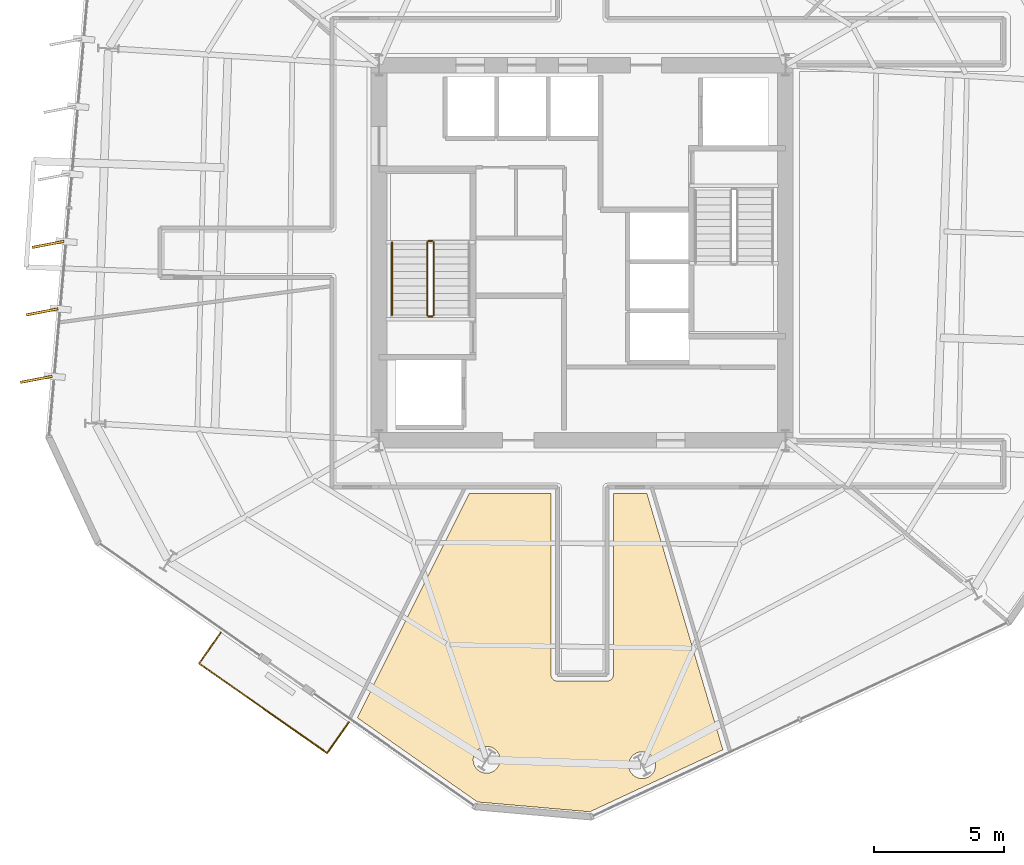
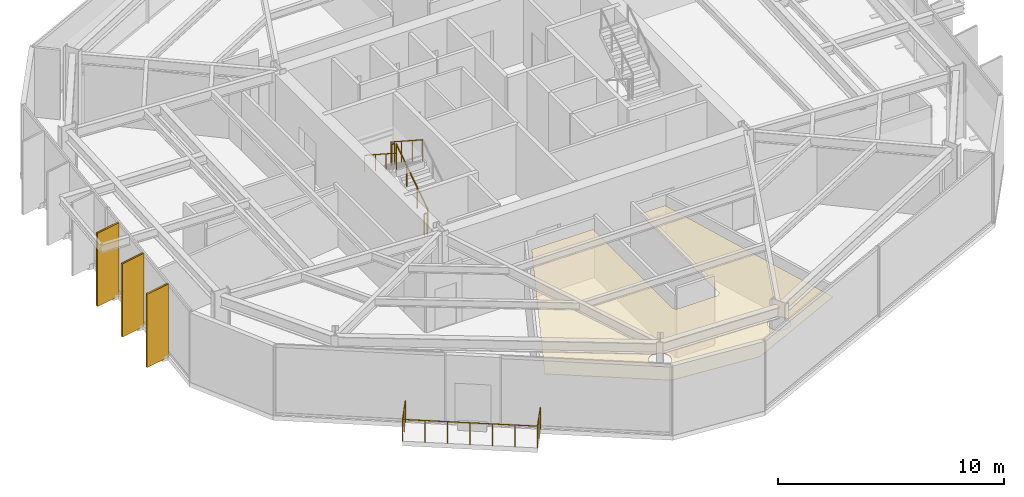
# One storey, part 9 of 12: 6 railings, 4 coverings, 3 shading devices.
"""IFC4 building model written with IfcOpenShell, lengths in metres."""

from ifc_helpers import new_model, si_unit, direction, frame, origin, origin_2d, place, context, subcontext, project, spatial, polyline, rectangle, circle, outline, extrude, material, layer, layer_set, type_object, element, save


model = new_model("IFC4")

# Units and contexts
model_context = context("Model", 3, precision=1e-05, world=origin(), true_north=direction((0.0, 1.0)))
body_context = subcontext(model_context, "Body", "Model", "MODEL_VIEW")
ifc_project = project(units=[si_unit("LENGTHUNIT", "METRE"), si_unit("AREAUNIT", "SQUARE_METRE"), si_unit("VOLUMEUNIT", "CUBIC_METRE"), si_unit("PLANEANGLEUNIT", "RADIAN"), si_unit("MASSUNIT", "GRAM", prefix="KILO")], contexts=[model_context])

# Site, building, storey
site_placement = place(None, origin())
site = spatial("IfcSite", under=ifc_project, at=site_placement, CompositionType="ELEMENT")
building_placement = place(site_placement, origin())
building = spatial("IfcBuilding", under=site, at=building_placement, Name="Kranzbogen Civic Tower", CompositionType="ELEMENT")
storey_placement = place(building_placement, frame((0.0, 0.0, 122.39990234375)))
storey = spatial("IfcBuildingStorey", under=building, at=storey_placement, Name="L29", CompositionType="ELEMENT", Elevation=122.39990234375)

# Coverings
ifc_material_1 = material(Name="Pale Anodised Aluminium", Category="aluminium")
ifc_layer_1 = layer(ifc_material_1, 0.02490234375, Name="Pale Anodised Aluminium")
ifc_layer_set_1 = layer_set([ifc_layer_1], Name="Pale Anodised Aluminium")
covering_type_1 = type_object("IfcCoveringType", Name="Anodised Aluminium Vertical Fin Cladding 25 mm", PredefinedType="CLADDING", material=ifc_layer_set_1)
for number, where, z_axis, x_axis, name in (
    (1, (4.4990234375, 25.318115234375, -0.139892578125), (0.0, 0.0, 1.0), (-0.982349334715, -0.187055565501, 0.0), "L29 vertical fin pale-metal cladding F3-4"),
    (2, (4.27197265625, 22.72802734375, -0.139892578125), (0.0, 0.0, 1.0), (-0.982349334715, -0.187055565501, 0.0), "L29 vertical fin pale-metal cladding F3-5"),
    (3, (4.044921875, 20.137939453125, -0.139892578125), (0.0, 0.0, 1.0), (-0.982349334715, -0.187055565501, 0.0), "L29 vertical fin pale-metal cladding F3-6"),
):
    element("IfcCovering", number, at=place(storey_placement, frame(where, z_axis=z_axis, x_axis=x_axis)), inside=storey, type_object=covering_type_1, Name=name, PredefinedType="CLADDING", context=body_context, shape_type="SweptSolid", body=[
        extrude(rectangle(XDim=1.25, YDim=0.10009765625, at=origin_2d()), origin(), (0.0, 0.0, 1.0), 3.9599609375),
    ])

# Shading devices
ifc_material_2 = material(Name="Anodised Bronze Aluminium", Category="aluminium")
shading_device_type = type_object("IfcShadingDeviceType", Name="Anodised Bronze Vertical Facade Fin 1250x80", PredefinedType="USERDEFINED", material=ifc_material_2)
for number, where, z_axis, x_axis, name in (
    (4, (4.4990234375, 25.318115234375, -0.139892578125), (0.0, 0.0, 1.0), (-0.982349334715, -0.187055565501, 0.0), "L29 vertical exterior shading fin F3-4"),
    (5, (4.27197265625, 22.72802734375, -0.139892578125), (0.0, 0.0, 1.0), (-0.982349334715, -0.187055565501, 0.0), "L29 vertical exterior shading fin F3-5"),
    (6, (4.044921875, 20.137939453125, -0.139892578125), (0.0, 0.0, 1.0), (-0.982349334715, -0.187055565501, 0.0), "L29 vertical exterior shading fin F3-6"),
):
    element("IfcShadingDevice", number, at=place(storey_placement, frame(where, z_axis=z_axis, x_axis=x_axis)), inside=storey, type_object=shading_device_type, Name=name, ObjectType="FIN", PredefinedType="USERDEFINED", context=body_context, shape_type="SweptSolid", body=[
        extrude(rectangle(XDim=1.25, YDim=0.080078125, at=origin_2d()), origin(), (0.0, 0.0, 1.0), 3.9599609375),
    ])

# Railings
railing_type_1 = type_object("IfcRailingType", Name="Cantilevered Balcony Glass and Bronze Balustrade 1200", PredefinedType="BALUSTRADE", material=ifc_material_2)
railing_1_placement = place(storey_placement, frame((11.1279296875, 10.419921875, 0.0)))
element("IfcRailing", 7, at=railing_1_placement, inside=storey, type_object=railing_type_1, Name="L29 exterior terrace balustrade L29-TB2", PredefinedType="BALUSTRADE", context=body_context, shape_type="SweptSolid", body=[
    extrude(circle(Radius=0.02392578125, at=origin_2d()), frame((0.0, 0.0, 1.17578125), z_axis=(-0.573665677324, -0.819089549842, 0.0), x_axis=(0.819089549842, -0.573665677324, 0.0)), (0.0, 0.0, 1.0), 1.450439453125),
    extrude(circle(Radius=0.02392578125, at=origin_2d()), frame((-0.83203125, -1.18798828125, 1.17578125), z_axis=(0.819124862085, -0.573615254604, 0.0), x_axis=(0.573615254604, 0.819124862085, 0.0)), (0.0, 0.0, 1.0), 6.000244140625),
    extrude(circle(Radius=0.02392578125, at=origin_2d()), frame((4.0830078125, -4.6298828125, 1.17578125), z_axis=(0.573665677324, 0.819089549842, 0.0), x_axis=(-0.819089549842, 0.573665677324, 0.0)), (0.0, 0.0, 1.0), 1.450439453125),
    extrude(circle(Radius=0.02099609375, at=origin_2d()), origin(), (0.0, 0.0, 1.0), 1.15185546875),
    extrude(circle(Radius=0.02099609375, at=origin_2d()), frame((-0.416015625, -0.593994140625, 0.0)), (0.0, 0.0, 1.0), 1.15185546875),
    extrude(circle(Radius=0.02099609375, at=origin_2d()), frame((-0.83203125, -1.18798828125, 0.0)), (0.0, 0.0, 1.0), 1.15185546875),
    extrude(circle(Radius=0.02099609375, at=origin_2d()), frame((-0.012939453125, -1.76171875, 0.0)), (0.0, 0.0, 1.0), 1.15185546875),
    extrude(circle(Radius=0.02099609375, at=origin_2d()), frame((0.806396484375, -2.335205078125, 0.0)), (0.0, 0.0, 1.0), 1.15185546875),
    extrude(circle(Radius=0.02099609375, at=origin_2d()), frame((1.62548828125, -2.908935546875, 0.0)), (0.0, 0.0, 1.0), 1.15185546875),
    extrude(circle(Radius=0.02099609375, at=origin_2d()), frame((2.444580078125, -3.482666015625, 0.0)), (0.0, 0.0, 1.0), 1.15185546875),
    extrude(circle(Radius=0.02099609375, at=origin_2d()), frame((3.263916015625, -4.05615234375, 0.0)), (0.0, 0.0, 1.0), 1.15185546875),
    extrude(circle(Radius=0.02099609375, at=origin_2d()), frame((4.0830078125, -4.6298828125, 0.0)), (0.0, 0.0, 1.0), 1.15185546875),
    extrude(circle(Radius=0.02099609375, at=origin_2d()), frame((4.4990234375, -4.035888671875, 0.0)), (0.0, 0.0, 1.0), 1.15185546875),
    extrude(circle(Radius=0.02099609375, at=origin_2d()), frame((4.9150390625, -3.44189453125, 0.0)), (0.0, 0.0, 1.0), 1.15185546875),
])
ifc_material_3 = material(Name="Steel S355", Category="steel")
railing_type_2 = type_object("IfcRailingType", Name="Internal Stair and Void Steel Guardrail 1150", PredefinedType="GUARDRAIL", material=ifc_material_3)
railing_2_placement = place(storey_placement, frame((19.300048828125, 22.60009765625, 0.181884765625)))
element("IfcRailing", 8, at=railing_2_placement, inside=storey, type_object=railing_type_2, Name="L29 ST-T1 stair guard 1", PredefinedType="GUARDRAIL", context=body_context, shape_type="SweptSolid", body=[
    extrude(circle(Radius=0.02392578125, at=origin_2d()), frame((0.0, 0.0, 1.1259765625), z_axis=(0.0, 0.83868413941, 0.544618136222), x_axis=(-1.0, 0.0, 0.0)), (0.0, 0.0, 1.0), 3.33837890625),
    extrude(circle(Radius=0.02099609375, at=origin_2d()), origin(), (0.0, 0.0, 1.0), 1.101806640625),
    extrude(circle(Radius=0.02099609375, at=origin_2d()), frame((0.0, 0.933349609375, 0.60595703125)), (0.0, 0.0, 1.0), 1.101806640625),
    extrude(circle(Radius=0.02099609375, at=origin_2d()), frame((0.0, 1.866455078125, 1.212158203125)), (0.0, 0.0, 1.0), 1.101806640625),
    extrude(circle(Radius=0.02099609375, at=origin_2d()), frame((0.0, 2.7998046875, 1.818115234375)), (0.0, 0.0, 1.0), 1.101806640625),
])
railing_3_placement = place(storey_placement, frame((19.25, 25.449951171875, 2.0)))
element("IfcRailing", 9, at=railing_3_placement, inside=storey, type_object=railing_type_2, Name="L29 ST-T1 stair guard 2", PredefinedType="GUARDRAIL", context=body_context, shape_type="SweptSolid", body=[
    extrude(circle(Radius=0.02392578125, at=origin_2d()), frame((0.0, 0.0, 1.1259765625), z_axis=(-1.0, 0.0, 0.0), x_axis=(0.0, -1.0, 0.0)), (0.0, 0.0, 1.0), 0.14990234375),
    extrude(circle(Radius=0.02099609375, at=origin_2d()), origin(), (0.0, 0.0, 1.0), 1.101806640625),
    extrude(circle(Radius=0.02099609375, at=origin_2d()), frame((-0.14990234375, 0.0, 0.0)), (0.0, 0.0, 1.0), 1.101806640625),
])
railing_4_placement = place(storey_placement, frame((19.050048828125, 25.39990234375, 2.181884765625)))
element("IfcRailing", 10, at=railing_4_placement, inside=storey, type_object=railing_type_2, Name="L29 ST-T1 stair guard 3", PredefinedType="GUARDRAIL", context=body_context, shape_type="SweptSolid", body=[
    extrude(circle(Radius=0.02392578125, at=origin_2d()), frame((0.0, 0.0, 1.1259765625), z_axis=(0.0, -0.83868413941, 0.544618136222), x_axis=(1.0, 0.0, 0.0)), (0.0, 0.0, 1.0), 3.33837890625),
    extrude(circle(Radius=0.02099609375, at=origin_2d()), origin(), (0.0, 0.0, 1.0), 1.101806640625),
    extrude(circle(Radius=0.02099609375, at=origin_2d()), frame((0.0, -0.933349609375, 0.60595703125)), (0.0, 0.0, 1.0), 1.101806640625),
    extrude(circle(Radius=0.02099609375, at=origin_2d()), frame((0.0, -1.866455078125, 1.212158203125)), (0.0, 0.0, 1.0), 1.101806640625),
    extrude(circle(Radius=0.02099609375, at=origin_2d()), frame((0.0, -2.7998046875, 1.818115234375)), (0.0, 0.0, 1.0), 1.101806640625),
])
railing_5_placement = place(storey_placement, frame((19.25, 22.550048828125, 0.0)))
element("IfcRailing", 11, at=railing_5_placement, inside=storey, type_object=railing_type_2, Name="L29 ST-T1 stair guard 4", PredefinedType="GUARDRAIL", context=body_context, shape_type="SweptSolid", body=[
    extrude(circle(Radius=0.02392578125, at=origin_2d()), frame((0.0, 0.0, 1.1259765625), z_axis=(-1.0, 0.0, 0.0), x_axis=(0.0, -1.0, 0.0)), (0.0, 0.0, 1.0), 0.14990234375),
    extrude(circle(Radius=0.02099609375, at=origin_2d()), origin(), (0.0, 0.0, 1.0), 1.101806640625),
    extrude(circle(Radius=0.02099609375, at=origin_2d()), frame((-0.14990234375, 0.0, 0.0)), (0.0, 0.0, 1.0), 1.101806640625),
])

# Covering
ifc_material_4 = material(Name="Perforated Acoustic Gypsum Ceiling")
ifc_layer_2 = layer(ifc_material_4, 0.02490234375, Name="Perforated Acoustic Gypsum Ceiling")
ifc_layer_set_2 = layer_set([ifc_layer_2], Name="Perforated Acoustic Gypsum Ceiling")
covering_type_2 = type_object("IfcCoveringType", Name="Perforated Acoustic Mineral Ceiling Tile 25 mm", PredefinedType="CEILING", material=ifc_layer_set_2)
covering_placement = place(storey_placement, frame((0.0, 0.0, 2.75)))
element("IfcCovering", 12, at=covering_placement, inside=storey, type_object=covering_type_2, Name="L29 Parliamentary Review Boardroom acoustic ceiling", PredefinedType="CEILING", context=body_context, shape_type="SweptSolid", body=[
    extrude(outline(polyline([(20.98388671875, 3.9150390625), (16.367919921875, 7.14794921875), (20.662109375, 15.7548828125), (23.804931640625, 15.7548828125), (23.804931640625, 8.800048828125), (23.804931640625, 8.791015625), (23.805908203125, 8.784912109375), (23.806884765625, 8.76708984375), (23.80810546875, 8.760986328125), (23.81201171875, 8.743896484375), (23.81298828125, 8.737060546875), (23.818115234375, 8.719970703125), (23.820068359375, 8.714111328125), (23.826904296875, 8.697998046875), (23.830078125, 8.69189453125), (23.837890625, 8.677001953125), (23.842041015625, 8.6708984375), (23.85107421875, 8.656982421875), (23.85498046875, 8.652099609375), (23.865966796875, 8.637939453125), (23.87109375, 8.633056640625), (23.883056640625, 8.62109375), (23.887939453125, 8.615966796875), (23.902099609375, 8.60498046875), (23.906982421875, 8.60107421875), (23.9208984375, 8.592041015625), (23.927001953125, 8.587890625), (23.94189453125, 8.580078125), (23.947998046875, 8.576904296875), (23.964111328125, 8.570068359375), (23.969970703125, 8.568115234375), (23.987060546875, 8.56298828125), (23.993896484375, 8.56201171875), (24.010986328125, 8.55810546875), (24.01708984375, 8.556884765625), (24.034912109375, 8.555908203125), (24.041015625, 8.554931640625), (24.050048828125, 8.554931640625), (25.949951171875, 8.554931640625), (25.958984375, 8.554931640625), (25.965087890625, 8.555908203125), (25.98291015625, 8.556884765625), (25.989013671875, 8.55810546875), (26.006103515625, 8.56201171875), (26.012939453125, 8.56298828125), (26.030029296875, 8.568115234375), (26.035888671875, 8.570068359375), (26.052001953125, 8.576904296875), (26.05810546875, 8.580078125), (26.072998046875, 8.587890625), (26.0791015625, 8.592041015625), (26.093017578125, 8.60107421875), (26.097900390625, 8.60498046875), (26.112060546875, 8.615966796875), (26.116943359375, 8.62109375), (26.12890625, 8.633056640625), (26.134033203125, 8.637939453125), (26.14501953125, 8.652099609375), (26.14892578125, 8.656982421875), (26.157958984375, 8.6708984375), (26.162109375, 8.677001953125), (26.169921875, 8.69189453125), (26.173095703125, 8.697998046875), (26.179931640625, 8.714111328125), (26.181884765625, 8.719970703125), (26.18701171875, 8.737060546875), (26.18798828125, 8.743896484375), (26.19189453125, 8.760986328125), (26.193115234375, 8.76708984375), (26.194091796875, 8.784912109375), (26.195068359375, 8.791015625), (26.195068359375, 8.800048828125), (26.195068359375, 15.7548828125), (27.485107421875, 15.7548828125), (30.40087890625, 5.919921875), (25.2939453125, 3.5380859375), (20.98388671875, 3.9150390625)]), holes=[polyline([(21.806884765625, 5.339111328125), (21.785888671875, 5.2939453125), (21.760009765625, 5.25), (21.72998046875, 5.2099609375), (21.696044921875, 5.172119140625), (21.657958984375, 5.137939453125), (21.617919921875, 5.10791015625), (21.573974609375, 5.08203125), (21.529052734375, 5.06103515625), (21.48095703125, 5.0439453125), (21.431884765625, 5.031982421875), (21.382080078125, 5.02392578125), (21.33203125, 5.02197265625), (21.281982421875, 5.02392578125), (21.23193359375, 5.031982421875), (21.18310546875, 5.0439453125), (21.135009765625, 5.06103515625), (21.090087890625, 5.08203125), (21.0458984375, 5.10791015625), (21.006103515625, 5.137939453125), (20.968017578125, 5.172119140625), (20.93408203125, 5.2099609375), (20.904052734375, 5.25), (20.8779296875, 5.2939453125), (20.85693359375, 5.339111328125), (20.840087890625, 5.386962890625), (20.827880859375, 5.43603515625), (20.820068359375, 5.486083984375), (20.818115234375, 5.535888671875), (20.820068359375, 5.5859375), (20.827880859375, 5.635986328125), (20.840087890625, 5.68505859375), (20.85693359375, 5.73291015625), (20.8779296875, 5.778076171875), (20.904052734375, 5.822021484375), (20.93408203125, 5.862060546875), (20.968017578125, 5.89990234375), (21.006103515625, 5.93408203125), (21.0458984375, 5.964111328125), (21.090087890625, 5.989990234375), (21.135009765625, 6.010986328125), (21.18310546875, 6.028076171875), (21.23193359375, 6.0400390625), (21.281982421875, 6.048095703125), (21.33203125, 6.050048828125), (21.382080078125, 6.048095703125), (21.431884765625, 6.0400390625), (21.48095703125, 6.028076171875), (21.529052734375, 6.010986328125), (21.573974609375, 5.989990234375), (21.617919921875, 5.964111328125), (21.657958984375, 5.93408203125), (21.696044921875, 5.89990234375), (21.72998046875, 5.862060546875), (21.760009765625, 5.822021484375), (21.785888671875, 5.778076171875), (21.806884765625, 5.73291015625), (21.823974609375, 5.68505859375), (21.8359375, 5.635986328125), (21.843994140625, 5.5859375), (21.845947265625, 5.535888671875), (21.843994140625, 5.486083984375), (21.8359375, 5.43603515625), (21.823974609375, 5.386962890625), (21.806884765625, 5.339111328125)]), polyline([(27.77587890625, 5.131103515625), (27.7548828125, 5.0859375), (27.72900390625, 5.0419921875), (27.698974609375, 5.001953125), (27.6650390625, 4.964111328125), (27.626953125, 4.929931640625), (27.5869140625, 4.89990234375), (27.54296875, 4.8740234375), (27.498046875, 4.85302734375), (27.449951171875, 4.8359375), (27.40087890625, 4.823974609375), (27.35107421875, 4.81591796875), (27.301025390625, 4.81396484375), (27.2509765625, 4.81591796875), (27.200927734375, 4.823974609375), (27.152099609375, 4.8359375), (27.10400390625, 4.85302734375), (27.05908203125, 4.8740234375), (27.014892578125, 4.89990234375), (26.97509765625, 4.929931640625), (26.93701171875, 4.964111328125), (26.903076171875, 5.001953125), (26.873046875, 5.0419921875), (26.846923828125, 5.0859375), (26.825927734375, 5.131103515625), (26.80908203125, 5.178955078125), (26.797119140625, 5.22802734375), (26.7890625, 5.278076171875), (26.787109375, 5.327880859375), (26.7890625, 5.3779296875), (26.797119140625, 5.427978515625), (26.80908203125, 5.47705078125), (26.825927734375, 5.52490234375), (26.846923828125, 5.570068359375), (26.873046875, 5.614013671875), (26.903076171875, 5.654052734375), (26.93701171875, 5.69189453125), (26.97509765625, 5.72607421875), (27.014892578125, 5.756103515625), (27.05908203125, 5.781982421875), (27.10400390625, 5.802978515625), (27.152099609375, 5.820068359375), (27.200927734375, 5.83203125), (27.2509765625, 5.840087890625), (27.301025390625, 5.842041015625), (27.35107421875, 5.840087890625), (27.40087890625, 5.83203125), (27.449951171875, 5.820068359375), (27.498046875, 5.802978515625), (27.54296875, 5.781982421875), (27.5869140625, 5.756103515625), (27.626953125, 5.72607421875), (27.6650390625, 5.69189453125), (27.698974609375, 5.654052734375), (27.72900390625, 5.614013671875), (27.7548828125, 5.570068359375), (27.77587890625, 5.52490234375), (27.79296875, 5.47705078125), (27.804931640625, 5.427978515625), (27.81298828125, 5.3779296875), (27.81494140625, 5.327880859375), (27.81298828125, 5.278076171875), (27.804931640625, 5.22802734375), (27.79296875, 5.178955078125), (27.77587890625, 5.131103515625)])]), origin(), (0.0, 0.0, 1.0), 0.025146484375),
])

# Railing
railing_type_3 = type_object("IfcRailingType", Name="Tubular Stainless Stair Wall Handrail 900", PredefinedType="HANDRAIL", material=ifc_material_1)
railing_6_placement = place(storey_placement, frame((17.699951171875, 25.39990234375, 2.181884765625)))
element("IfcRailing", 13, at=railing_6_placement, inside=storey, type_object=railing_type_3, Name="L29 ST-T1 stair handrail 2", PredefinedType="HANDRAIL", context=body_context, shape_type="SweptSolid", body=[
    extrude(circle(Radius=0.02392578125, at=origin_2d()), frame((0.0, 0.0, 0.8759765625), z_axis=(0.0, -0.83868413941, 0.544618136222), x_axis=(1.0, 0.0, 0.0)), (0.0, 0.0, 1.0), 3.33837890625),
    extrude(circle(Radius=0.02099609375, at=origin_2d()), origin(), (0.0, 0.0, 1.0), 0.851806640625),
    extrude(circle(Radius=0.02099609375, at=origin_2d()), frame((0.0, -0.933349609375, 0.60595703125)), (0.0, 0.0, 1.0), 0.851806640625),
    extrude(circle(Radius=0.02099609375, at=origin_2d()), frame((0.0, -1.866455078125, 1.212158203125)), (0.0, 0.0, 1.0), 0.851806640625),
    extrude(circle(Radius=0.02099609375, at=origin_2d()), frame((0.0, -2.7998046875, 1.818115234375)), (0.0, 0.0, 1.0), 0.851806640625),
])

save(model, "model.ifc")
